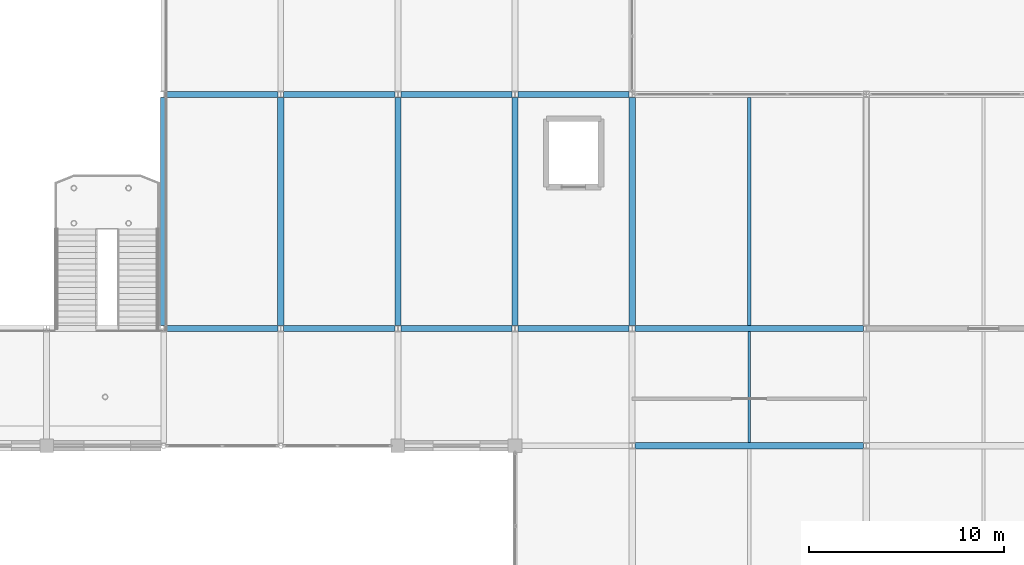
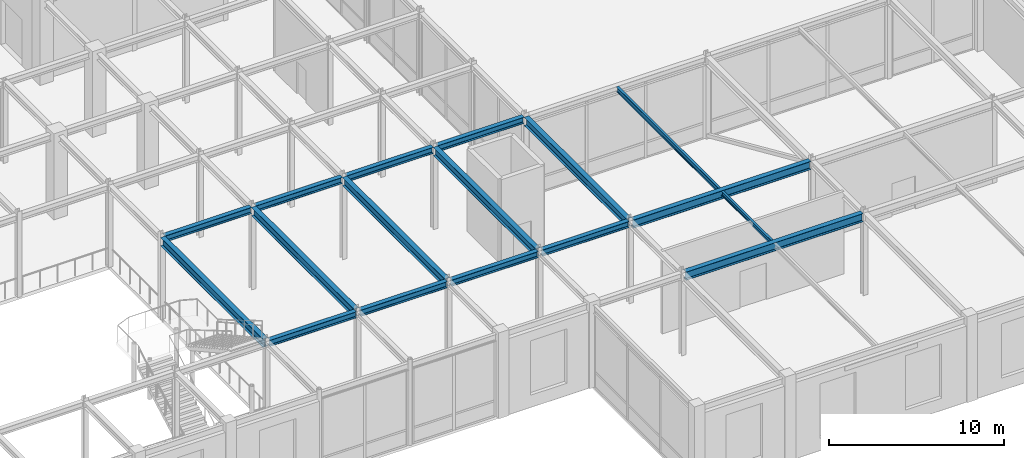
# One storey, part 61 of 108: 17 beams.
"""IFC4 building model written with IfcOpenShell, lengths in metres."""

from ifc_helpers import new_model, si_unit, direction, frame, origin, origin_2d, place, context, subcontext, project, spatial, i_section, extrude, material, material_profile, profile_set, type_object, element, save


model = new_model("IFC4")

# Units and contexts
model_context = context("Model", 3, precision=1e-05, world=origin(), true_north=direction((0.0, 1.0)))
body_context = subcontext(model_context, "Body", "Model", "MODEL_VIEW")
ifc_project = project(units=[si_unit("LENGTHUNIT", "METRE"), si_unit("AREAUNIT", "SQUARE_METRE"), si_unit("VOLUMEUNIT", "CUBIC_METRE"), si_unit("PLANEANGLEUNIT", "RADIAN"), si_unit("MASSUNIT", "GRAM", prefix="KILO")], contexts=[model_context])

# Site, building, storey
site_placement = place(None, origin())
site = spatial("IfcSite", under=ifc_project, at=site_placement, CompositionType="ELEMENT")
building_placement = place(site_placement, origin())
building = spatial("IfcBuilding", under=site, at=building_placement, Name="Zlatovratsky Civic Hall", CompositionType="ELEMENT")
storey_placement = place(building_placement, frame((0.0, 0.0, 6.0)))
storey = spatial("IfcBuildingStorey", under=building, at=storey_placement, Name="L02", CompositionType="ELEMENT", Elevation=6.0)

# Beams
ifc_material = material(Name="Steel S355", Category="steel")
ifc_material_profile_1 = material_profile(ifc_material, i_section(OverallWidth=0.320068359375, OverallDepth=0.58203125, WebThickness=0.011962890625, FlangeThickness=0.01708984375, FilletRadius=0.02392578125, at=origin_2d()), Name="60Sh1")
ifc_profile_set_1 = profile_set([ifc_material_profile_1], Name="Steel S355")
beam_type_1 = type_object("IfcBeamType", Name="Beam_PodiumGirder_60Sh1", PredefinedType="BEAM", material=ifc_profile_set_1)
for number, where, z_axis, x_axis, name in (
    (1, (120.14990234375, 12.0, 5.468994140625), (1.0, 0.0, 0.0), (0.0, 1.0, 0.0), "BM-1756"),
    (2, (120.14990234375, 18.0, 5.468994140625), (1.0, 0.0, 0.0), (0.0, 1.0, 0.0), "BM-1778"),
    (3, (96.0, 18.14990234375, 5.468994140625), (0.0, 1.0, 0.0), (-1.0, 0.0, 0.0), "BM-2239"),
    (4, (102.0, 18.14990234375, 5.468994140625), (0.0, 1.0, 0.0), (-1.0, 0.0, 0.0), "BM-2251"),
    (5, (108.0, 18.14990234375, 5.468994140625), (0.0, 1.0, 0.0), (-1.0, 0.0, 0.0), "BM-2267"),
    (6, (114.0, 18.14990234375, 5.468994140625), (0.0, 1.0, 0.0), (-1.0, 0.0, 0.0), "BM-2284"),
    (7, (120.0, 18.14990234375, 5.468994140625), (0.0, 1.0, 0.0), (-1.0, 0.0, 0.0), "BM-2301"),
):
    element("IfcBeam", number, at=place(storey_placement, frame(where, z_axis=z_axis, x_axis=x_axis)), inside=storey, type_object=beam_type_1, Name=name, PredefinedType="BEAM", context=body_context, shape_type="SweptSolid", body=[
        extrude(i_section(OverallWidth=0.320068359375, OverallDepth=0.58203125, WebThickness=0.011962890625, FlangeThickness=0.01708984375, FilletRadius=0.02392578125, at=origin_2d()), origin(), (0.0, 0.0, 1.0), 11.7001953125),
    ])
ifc_material_profile_2 = material_profile(ifc_material, i_section(OverallWidth=0.300048828125, OverallDepth=0.43994140625, WebThickness=0.010986328125, FlangeThickness=0.01806640625, FilletRadius=0.02197265625, at=origin_2d()), Name="45Sh1")
ifc_profile_set_2 = profile_set([ifc_material_profile_2], Name="Steel S355")
beam_type_2 = type_object("IfcBeamType", Name="Beam_TowerLow_45Sh1", PredefinedType="BEAM", material=ifc_profile_set_2)
for number, where, z_axis, x_axis, name in (
    (8, (96.14990234375, 18.0, 5.5400390625), (1.0, 0.0, 0.0), (0.0, 1.0, 0.0), "BM-1774"),
    (9, (102.14990234375, 18.0, 5.5400390625), (1.0, 0.0, 0.0), (0.0, 1.0, 0.0), "BM-1775"),
    (10, (108.14990234375, 18.0, 5.5400390625), (1.0, 0.0, 0.0), (0.0, 1.0, 0.0), "BM-1776"),
    (11, (114.14990234375, 18.0, 5.5400390625), (1.0, 0.0, 0.0), (0.0, 1.0, 0.0), "BM-1777"),
    (12, (96.14990234375, 30.0, 5.5400390625), (1.0, 0.0, 0.0), (0.0, 1.0, 0.0), "BM-1792"),
    (13, (102.14990234375, 30.0, 5.5400390625), (1.0, 0.0, 0.0), (0.0, 1.0, 0.0), "BM-1793"),
    (14, (108.14990234375, 30.0, 5.5400390625), (1.0, 0.0, 0.0), (0.0, 1.0, 0.0), "BM-1794"),
    (15, (114.14990234375, 30.0, 5.5400390625), (1.0, 0.0, 0.0), (0.0, 1.0, 0.0), "BM-1795"),
):
    element("IfcBeam", number, at=place(storey_placement, frame(where, z_axis=z_axis, x_axis=x_axis)), inside=storey, type_object=beam_type_2, Name=name, PredefinedType="BEAM", context=body_context, shape_type="SweptSolid", body=[
        extrude(i_section(OverallWidth=0.300048828125, OverallDepth=0.43994140625, WebThickness=0.010986328125, FlangeThickness=0.01806640625, FilletRadius=0.02197265625, at=origin_2d()), origin(), (0.0, 0.0, 1.0), 5.7001953125),
    ])
ifc_material_profile_3 = material_profile(ifc_material, i_section(OverallWidth=0.14990234375, OverallDepth=0.300048828125, WebThickness=0.006591796875, FlangeThickness=0.009033203125, FilletRadius=0.012939453125, at=origin_2d()), Name="30B2")
ifc_profile_set_3 = profile_set([ifc_material_profile_3], Name="Steel S355")
beam_type_3 = type_object("IfcBeamType", Name="Joist_Podium_30B2", PredefinedType="JOIST", material=ifc_profile_set_3)
beam_1_placement = place(storey_placement, frame((126.0, 12.159912109375, 5.610107421875), z_axis=(0.0, 1.0, 0.0), x_axis=(-1.0, 0.0, 0.0)))
element("IfcBeam", 16, at=beam_1_placement, inside=storey, type_object=beam_type_3, Name="BM-2398", PredefinedType="JOIST", context=body_context, shape_type="SweptSolid", body=[
    extrude(i_section(OverallWidth=0.14990234375, OverallDepth=0.300048828125, WebThickness=0.006591796875, FlangeThickness=0.009033203125, FilletRadius=0.012939453125, at=origin_2d()), origin(), (0.0, 0.0, 1.0), 5.68017578125),
])
ifc_material_profile_4 = material_profile(ifc_material, i_section(OverallWidth=0.155029296875, OverallDepth=0.345947265625, WebThickness=0.006103515625, FlangeThickness=0.008544921875, FilletRadius=0.013916015625, at=origin_2d()), Name="35B1")
ifc_profile_set_4 = profile_set([ifc_material_profile_4], Name="Steel S355")
beam_type_4 = type_object("IfcBeamType", Name="Joist_Podium_35B1", PredefinedType="JOIST", material=ifc_profile_set_4)
beam_2_placement = place(storey_placement, frame((126.0, 18.159912109375, 5.5869140625), z_axis=(0.0, 1.0, 0.0), x_axis=(-1.0, 0.0, 0.0)))
element("IfcBeam", 17, at=beam_2_placement, inside=storey, type_object=beam_type_4, Name="BM-2404", PredefinedType="JOIST", context=body_context, shape_type="SweptSolid", body=[
    extrude(i_section(OverallWidth=0.155029296875, OverallDepth=0.345947265625, WebThickness=0.006103515625, FlangeThickness=0.008544921875, FilletRadius=0.013916015625, at=origin_2d()), origin(), (0.0, 0.0, 1.0), 11.68017578125),
])

save(model, "model.ifc")
